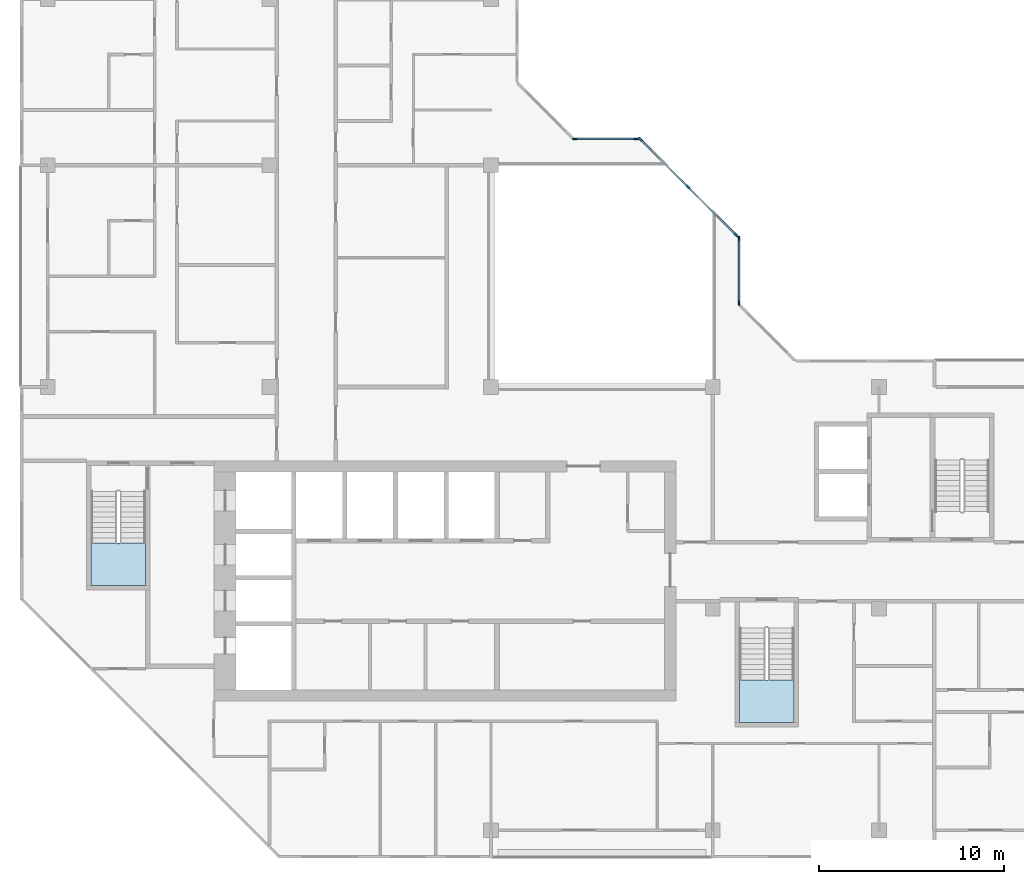
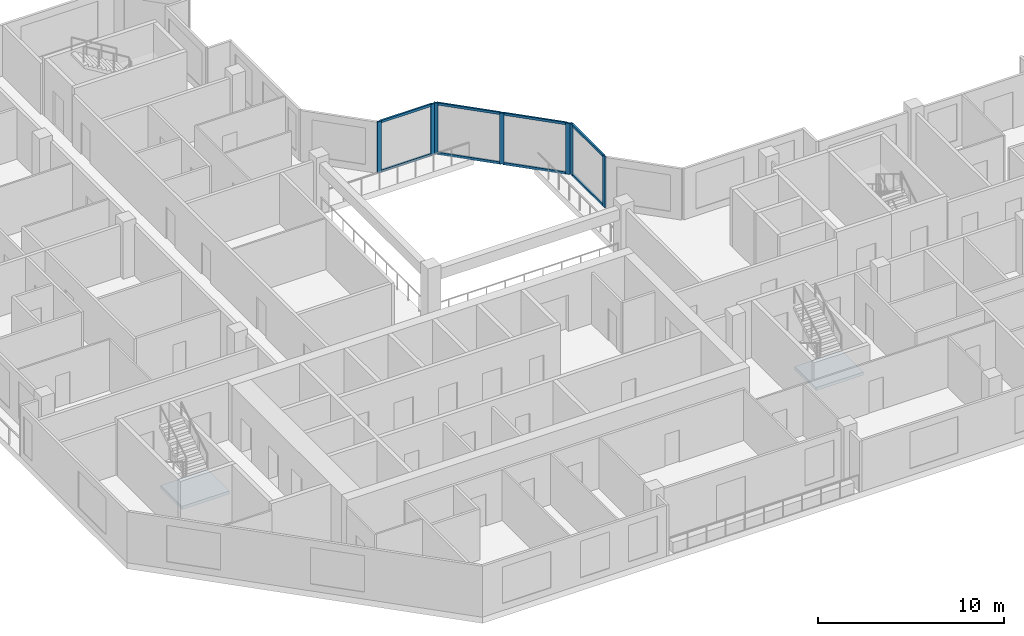
# One storey, part 2 of 13: 15 members, 2 slabs, 5 elements without a shape of their own.
"""IFC4 building model written with IfcOpenShell, lengths in metres."""

from ifc_helpers import new_model, si_unit, direction, frame, origin, origin_2d, place, context, subcontext, project, spatial, polyline, rectangle, outline, extrude, material, layer, layer_set, material_profile, profile_set, type_object, element, aggregate, save


model = new_model("IFC4")

# Units and contexts
model_context = context("Model", 3, precision=1e-05, world=origin(), true_north=direction((0.0, 1.0)))
body_context = subcontext(model_context, "Body", "Model", "MODEL_VIEW")
ifc_project = project(units=[si_unit("LENGTHUNIT", "METRE"), si_unit("AREAUNIT", "SQUARE_METRE"), si_unit("VOLUMEUNIT", "CUBIC_METRE"), si_unit("PLANEANGLEUNIT", "RADIAN"), si_unit("MASSUNIT", "GRAM", prefix="KILO")], contexts=[model_context])

# Site, building, storey
site_placement = place(None, origin())
site = spatial("IfcSite", under=ifc_project, at=site_placement, CompositionType="ELEMENT")
building_placement = place(site_placement, origin())
building = spatial("IfcBuilding", under=site, at=building_placement, Name="Chenar Terraces", CompositionType="ELEMENT")
storey_placement = place(building_placement, frame((0.0, 0.0, 307.14990234375)))
storey = spatial("IfcBuildingStorey", under=building, at=storey_placement, Name="L72", CompositionType="ELEMENT", Elevation=307.14990234375)

# Curtain wall, members
ifc_material_1 = material(Name="Aluminium framed glazing", Category="aluminium")
ifc_layer_1 = layer(ifc_material_1, 0.14990234375)
ifc_layer_set_1 = layer_set([ifc_layer_1], Name="Aluminium framed glazing")
curtain_wall_type = type_object("IfcCurtainWallType", Name="Atrium upper-zone curtain wall", PredefinedType="NOTDEFINED", material=ifc_layer_set_1)
placement_1 = place(storey_placement, origin())
curtain_wall_1 = element("IfcCurtainWall", 1, at=placement_1, inside=storey, type_object=curtain_wall_type, Name="Atrium upper-zone curtain wall", PredefinedType="NOTDEFINED")
ifc_material_2 = material(Name="Aluminium", Category="aluminium")
ifc_material_profile_1 = material_profile(ifc_material_2, rectangle(XDim=0.10009765625, YDim=0.239990234375, at=origin_2d()), Name="Atrium upper-zone glazing mullion 100 x 240")
ifc_profile_set_1 = profile_set([ifc_material_profile_1], Name="Aluminium")
member_type_1 = type_object("IfcMemberType", Name="Atrium upper-zone glazing mullion 100 x 240", PredefinedType="MULLION", material=ifc_profile_set_1)
member_1_placement = place(storey_placement, frame((37.425048828125, 28.550048828125, 0.0), z_axis=(0.0, 0.0, 1.0), x_axis=(-1.0, 0.0, 0.0)))
member_1 = element("IfcMember", 2, at=member_1_placement, type_object=member_type_1, Name="CW8-1 mullion 1", PredefinedType="MULLION", context=body_context, shape_type="SweptSolid", body=[
    extrude(rectangle(XDim=0.10009765625, YDim=0.239990234375, at=origin_2d()), origin(), (0.0, 0.0, 1.0), 3.35009765625),
])
member_2_placement = place(storey_placement, frame((37.425048828125, 32.050048828125, 0.0), z_axis=(0.0, 0.0, 1.0), x_axis=(-1.0, 0.0, 0.0)))
member_2 = element("IfcMember", 3, at=member_2_placement, type_object=member_type_1, Name="CW8-1 mullion 2", PredefinedType="MULLION", context=body_context, shape_type="SweptSolid", body=[
    extrude(rectangle(XDim=0.10009765625, YDim=0.239990234375, at=origin_2d()), origin(), (0.0, 0.0, 1.0), 3.35009765625),
])

curtain_wall_2 = element("IfcCurtainWall", 4, at=placement_1, inside=storey, type_object=curtain_wall_type, Name="Atrium upper-zone curtain wall", PredefinedType="NOTDEFINED")
member_3_placement = place(storey_placement, frame((37.270263671875, 32.2236328125, 0.0), z_axis=(0.0, 0.0, 1.0), x_axis=(-0.707106781187, -0.707106781187, 0.0)))
member_3 = element("IfcMember", 5, at=member_3_placement, type_object=member_type_1, Name="CW8-2 mullion 1", PredefinedType="MULLION", context=body_context, shape_type="SweptSolid", body=[
    extrude(rectangle(XDim=0.10009765625, YDim=0.239990234375, at=origin_2d()), origin(), (0.0, 0.0, 1.0), 3.35009765625),
])
member_4_placement = place(storey_placement, frame((34.67626953125, 34.817626953125, 0.0), z_axis=(0.0, 0.0, 1.0), x_axis=(-0.707106781187, -0.707106781187, 0.0)))
member_4 = element("IfcMember", 6, at=member_4_placement, type_object=member_type_1, Name="CW8-2 mullion 2", PredefinedType="MULLION", context=body_context, shape_type="SweptSolid", body=[
    extrude(rectangle(XDim=0.10009765625, YDim=0.239990234375, at=origin_2d()), origin(), (0.0, 0.0, 1.0), 3.35009765625),
])
member_5_placement = place(storey_placement, frame((32.082275390625, 37.41162109375, 0.0), z_axis=(0.0, 0.0, 1.0), x_axis=(-0.707106781187, -0.707106781187, 0.0)))
member_5 = element("IfcMember", 7, at=member_5_placement, type_object=member_type_1, Name="CW8-2 mullion 3", PredefinedType="MULLION", context=body_context, shape_type="SweptSolid", body=[
    extrude(rectangle(XDim=0.10009765625, YDim=0.239990234375, at=origin_2d()), origin(), (0.0, 0.0, 1.0), 3.35009765625),
])

curtain_wall_3 = element("IfcCurtainWall", 8, at=placement_1, inside=storey, type_object=curtain_wall_type, Name="Atrium upper-zone curtain wall", PredefinedType="NOTDEFINED")
member_6_placement = place(storey_placement, frame((31.85009765625, 37.425048828125, 0.0), z_axis=(0.0, 0.0, 1.0), x_axis=(0.0, -1.0, 0.0)))
member_6 = element("IfcMember", 9, at=member_6_placement, type_object=member_type_1, Name="CW8-3 mullion 1", PredefinedType="MULLION", context=body_context, shape_type="SweptSolid", body=[
    extrude(rectangle(XDim=0.10009765625, YDim=0.239990234375, at=origin_2d()), origin(), (0.0, 0.0, 1.0), 3.35009765625),
])
member_7_placement = place(storey_placement, frame((28.550048828125, 37.425048828125, 0.0), z_axis=(0.0, 0.0, 1.0), x_axis=(0.0, -1.0, 0.0)))
member_7 = element("IfcMember", 10, at=member_7_placement, type_object=member_type_1, Name="CW8-3 mullion 2", PredefinedType="MULLION", context=body_context, shape_type="SweptSolid", body=[
    extrude(rectangle(XDim=0.10009765625, YDim=0.239990234375, at=origin_2d()), origin(), (0.0, 0.0, 1.0), 3.35009765625),
])

# Member
ifc_material_3 = material(Name="Aluminium", Category="aluminium")
ifc_material_profile_2 = material_profile(ifc_material_3, rectangle(XDim=0.10009765625, YDim=0.159912109375, at=origin_2d()), Name="Atrium upper-zone glazing transom 100 x 160")
ifc_profile_set_2 = profile_set([ifc_material_profile_2], Name="Aluminium")
member_type_2 = type_object("IfcMemberType", Name="Atrium upper-zone glazing transom 100 x 160", PredefinedType="USERDEFINED", material=ifc_profile_set_2)
member_8_placement = place(storey_placement, frame((37.425048828125, 28.60009765625, 0.050048828125), z_axis=(0.0, 1.0, 0.0), x_axis=(-1.0, 0.0, 0.0)))
member_8 = element("IfcMember", 11, at=member_8_placement, type_object=member_type_2, Name="CW8-1 transom 1.1", ObjectType="TRANSOM", PredefinedType="USERDEFINED", context=body_context, shape_type="SweptSolid", body=[
    extrude(rectangle(XDim=0.10009765625, YDim=0.159912109375, at=origin_2d()), origin(), (0.0, 0.0, 1.0), 3.39990234375),
])

member_9_placement = place(storey_placement, frame((37.425048828125, 28.60009765625, 3.300048828125), z_axis=(0.0, 1.0, 0.0), x_axis=(-1.0, 0.0, 0.0)))
member_9 = element("IfcMember", 12, at=member_9_placement, type_object=member_type_2, Name="CW8-1 transom 1.2", ObjectType="TRANSOM", PredefinedType="USERDEFINED", context=body_context, shape_type="SweptSolid", body=[
    extrude(rectangle(XDim=0.10009765625, YDim=0.159912109375, at=origin_2d()), origin(), (0.0, 0.0, 1.0), 3.39990234375),
])

aggregate(curtain_wall_1, [member_1, member_2, member_8, member_9])

member_10_placement = place(storey_placement, frame((37.23486328125, 32.259033203125, 0.050048828125), z_axis=(-0.707106781187, 0.707106781187, 0.0), x_axis=(-0.707106781187, -0.707106781187, 0.0)))
member_10 = element("IfcMember", 13, at=member_10_placement, type_object=member_type_2, Name="CW8-2 transom 1.1", ObjectType="TRANSOM", PredefinedType="USERDEFINED", context=body_context, shape_type="SweptSolid", body=[
    extrude(rectangle(XDim=0.10009765625, YDim=0.159912109375, at=origin_2d()), origin(), (0.0, 0.0, 1.0), 3.568359375),
])

member_11_placement = place(storey_placement, frame((37.23486328125, 32.259033203125, 3.300048828125), z_axis=(-0.707106781187, 0.707106781187, 0.0), x_axis=(-0.707106781187, -0.707106781187, 0.0)))
member_11 = element("IfcMember", 14, at=member_11_placement, type_object=member_type_2, Name="CW8-2 transom 1.2", ObjectType="TRANSOM", PredefinedType="USERDEFINED", context=body_context, shape_type="SweptSolid", body=[
    extrude(rectangle(XDim=0.10009765625, YDim=0.159912109375, at=origin_2d()), origin(), (0.0, 0.0, 1.0), 3.568359375),
])

member_12_placement = place(storey_placement, frame((34.640869140625, 34.85302734375, 0.050048828125), z_axis=(-0.707106781187, 0.707106781187, 0.0), x_axis=(-0.707106781187, -0.707106781187, 0.0)))
member_12 = element("IfcMember", 15, at=member_12_placement, type_object=member_type_2, Name="CW8-2 transom 2.1", ObjectType="TRANSOM", PredefinedType="USERDEFINED", context=body_context, shape_type="SweptSolid", body=[
    extrude(rectangle(XDim=0.10009765625, YDim=0.159912109375, at=origin_2d()), origin(), (0.0, 0.0, 1.0), 3.568359375),
])

member_13_placement = place(storey_placement, frame((34.640869140625, 34.85302734375, 3.300048828125), z_axis=(-0.707106781187, 0.707106781187, 0.0), x_axis=(-0.707106781187, -0.707106781187, 0.0)))
member_13 = element("IfcMember", 16, at=member_13_placement, type_object=member_type_2, Name="CW8-2 transom 2.2", ObjectType="TRANSOM", PredefinedType="USERDEFINED", context=body_context, shape_type="SweptSolid", body=[
    extrude(rectangle(XDim=0.10009765625, YDim=0.159912109375, at=origin_2d()), origin(), (0.0, 0.0, 1.0), 3.568359375),
])

aggregate(curtain_wall_2, [member_3, member_4, member_5, member_10, member_11, member_12, member_13])

member_14_placement = place(storey_placement, frame((31.800048828125, 37.425048828125, 0.050048828125), z_axis=(-1.0, 0.0, 0.0), x_axis=(0.0, -1.0, 0.0)))
member_14 = element("IfcMember", 17, at=member_14_placement, type_object=member_type_2, Name="CW8-3 transom 1.1", ObjectType="TRANSOM", PredefinedType="USERDEFINED", context=body_context, shape_type="SweptSolid", body=[
    extrude(rectangle(XDim=0.10009765625, YDim=0.159912109375, at=origin_2d()), origin(), (0.0, 0.0, 1.0), 3.199951171875),
])

member_15_placement = place(storey_placement, frame((31.800048828125, 37.425048828125, 3.300048828125), z_axis=(-1.0, 0.0, 0.0), x_axis=(0.0, -1.0, 0.0)))
member_15 = element("IfcMember", 18, at=member_15_placement, type_object=member_type_2, Name="CW8-3 transom 1.2", ObjectType="TRANSOM", PredefinedType="USERDEFINED", context=body_context, shape_type="SweptSolid", body=[
    extrude(rectangle(XDim=0.10009765625, YDim=0.159912109375, at=origin_2d()), origin(), (0.0, 0.0, 1.0), 3.199951171875),
])

aggregate(curtain_wall_3, [member_6, member_7, member_14, member_15])

# Stair, slab
ifc_material_4 = material(Name="Reinforced concrete C40/50", Category="concrete")
stair_type = type_object("IfcStairType", Name="Core stair 1400 half-turn", PredefinedType="HALF_TURN_STAIR", material=ifc_material_4)
stair_1 = element("IfcStair", 19, at=placement_1, inside=storey, type_object=stair_type, Name="L72 Stair 1", PredefinedType="HALF_TURN_STAIR")
ifc_material_5 = material(Name="Reinforced concrete C40/50", Category="concrete")
ifc_layer_2 = layer(ifc_material_5, 0.199951171875)
ifc_layer_set_2 = layer_set([ifc_layer_2], Name="Reinforced concrete C40/50")
slab_type = type_object("IfcSlabType", Name="Core stair landing 200", PredefinedType="LANDING", material=ifc_layer_set_2)
placement_2 = place(storey_placement, frame((0.0, 0.0, 1.675048828125)))
slab_1 = element("IfcSlab", 20, at=placement_2, type_object=slab_type, Name="ST1 landing 1", PredefinedType="LANDING", context=body_context, shape_type="SweptSolid", body=[
    extrude(outline(polyline([(2.35009765625, 15.550048828125), (2.35009765625, 13.25), (5.300048828125, 13.25), (5.300048828125, 15.550048828125), (2.35009765625, 15.550048828125)])), origin(), (0.0, 0.0, 1.0), 0.199951171875),
])
aggregate(stair_1, [slab_1])

stair_2 = element("IfcStair", 21, at=placement_1, inside=storey, type_object=stair_type, Name="L72 Stair 2", PredefinedType="HALF_TURN_STAIR")
slab_2 = element("IfcSlab", 22, at=placement_2, type_object=slab_type, Name="ST2 landing 1", PredefinedType="LANDING", context=body_context, shape_type="SweptSolid", body=[
    extrude(outline(polyline([(37.449951171875, 8.14990234375), (37.449951171875, 5.85009765625), (40.39990234375, 5.85009765625), (40.39990234375, 8.14990234375), (37.449951171875, 8.14990234375)])), origin(), (0.0, 0.0, 1.0), 0.199951171875),
])
aggregate(stair_2, [slab_2])

save(model, "model.ifc")
